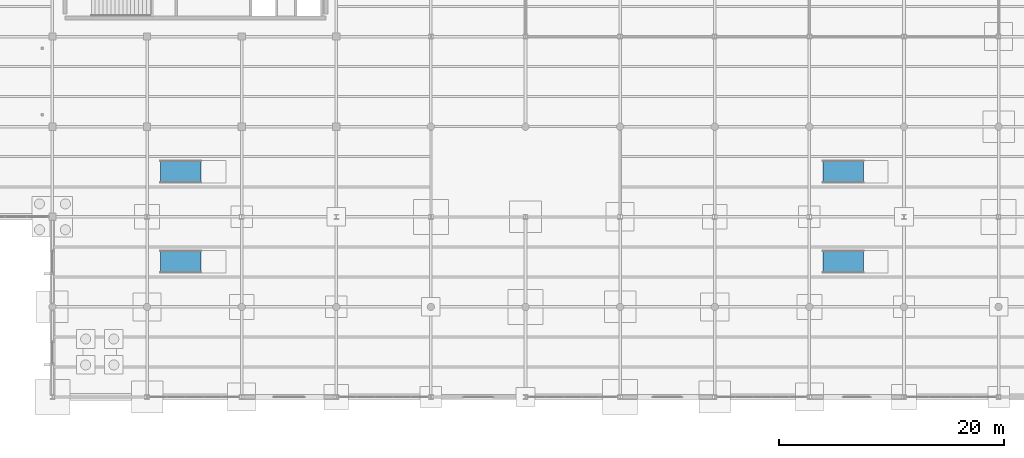
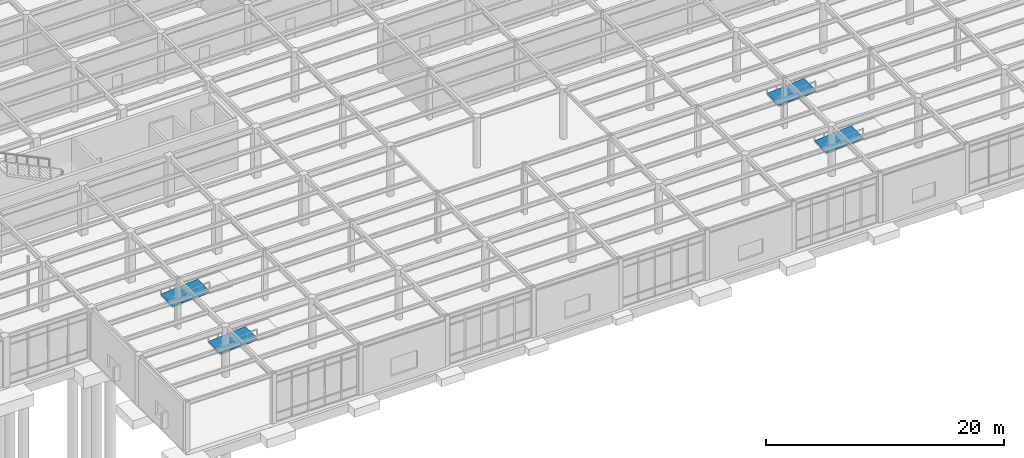
# One storey, part 88 of 138: 4 ramp flights, 4 elements without a shape of their own.
"""IFC4 building model written with IfcOpenShell, lengths in metres."""

from ifc_helpers import new_model, si_unit, direction, frame, origin, place, context, subcontext, project, spatial, polyline, outline, extrude, material, layer, layer_set, type_object, element, aggregate, save


model = new_model("IFC4")

# Units and contexts
model_context = context("Model", 3, precision=1e-05, world=origin(), true_north=direction((0.0, 1.0)))
body_context = subcontext(model_context, "Body", "Model", "MODEL_VIEW")
ifc_project = project(units=[si_unit("LENGTHUNIT", "METRE"), si_unit("AREAUNIT", "SQUARE_METRE"), si_unit("VOLUMEUNIT", "CUBIC_METRE"), si_unit("PLANEANGLEUNIT", "RADIAN"), si_unit("MASSUNIT", "GRAM", prefix="KILO")], contexts=[model_context])

# Site, building, storey
site_placement = place(None, origin())
site = spatial("IfcSite", under=ifc_project, at=site_placement, CompositionType="ELEMENT")
building_placement = place(site_placement, origin())
building = spatial("IfcBuilding", under=site, at=building_placement, Name="Kranzveld Transit Interchange", CompositionType="ELEMENT")
storey_placement = place(building_placement, origin())
storey = spatial("IfcBuildingStorey", under=building, at=storey_placement, Name="L00", CompositionType="ELEMENT", Elevation=0.0)

# Ramp, ramp flight
ifc_material_1 = material(Name="Concrete C35/45", Category="concrete")
ramp_type = type_object("IfcRampType", Name="Boarding Island Plinth Ramp 1:12 2000W C35/45", PredefinedType="STRAIGHT_RUN_RAMP", material=ifc_material_1)
ramp_1_placement = place(storey_placement, origin())
ramp_1 = element("IfcRamp", 1, at=ramp_1_placement, inside=storey, type_object=ramp_type, Name="Boarding Island 1:12 Ramp RMP-3", PredefinedType="STRAIGHT_RUN_RAMP")
ifc_material_2 = material(Name="Concrete C35/45", Category="concrete")
ifc_layer = layer(ifc_material_2, 0.199951171875)
ifc_layer_set = layer_set([ifc_layer], Name="Concrete C35/45")
ramp_flight_type = type_object("IfcRampFlightType", Name="Boarding Ramp Flight 2000Wx200T C35/45", PredefinedType="STRAIGHT", material=ifc_layer_set)
ramp_flight_1_placement = place(storey_placement, frame((60.0, 12.0, 0.0), z_axis=(0.0, 0.0, 1.0), x_axis=(1.0, 0.0, 0.0)))
ramp_flight_1 = element("IfcRampFlight", 2, at=ramp_flight_1_placement, type_object=ramp_flight_type, Name="RMP-3 Flight 1", PredefinedType="STRAIGHT", context=body_context, shape_type="SweptSolid", body=[
    extrude(outline(polyline([(0.0, -0.199951171875), (0.0, 0.0), (3.60009765625, 0.300048828125), (3.60009765625, 0.10009765625), (0.0, -0.199951171875)])), frame((0.0, 1.0, 0.0), z_axis=(0.0, -1.0, 0.0), x_axis=(1.0, 0.0, 0.0)), (0.0, 0.0, 1.0), 2.0),
])
aggregate(ramp_1, [ramp_flight_1])

ramp_2_placement = place(storey_placement, origin())
ramp_2 = element("IfcRamp", 3, at=ramp_2_placement, inside=storey, type_object=ramp_type, Name="Boarding Island 1:12 Ramp RMP-4", PredefinedType="STRAIGHT_RUN_RAMP")
ramp_flight_2_placement = place(storey_placement, frame((60.0, 20.0, 0.0), z_axis=(0.0, 0.0, 1.0), x_axis=(1.0, 0.0, 0.0)))
ramp_flight_2 = element("IfcRampFlight", 4, at=ramp_flight_2_placement, type_object=ramp_flight_type, Name="RMP-4 Flight 1", PredefinedType="STRAIGHT", context=body_context, shape_type="SweptSolid", body=[
    extrude(outline(polyline([(0.0, -0.199951171875), (0.0, 0.0), (3.60009765625, 0.300048828125), (3.60009765625, 0.10009765625), (0.0, -0.199951171875)])), frame((0.0, 1.0, 0.0), z_axis=(0.0, -1.0, 0.0), x_axis=(1.0, 0.0, 0.0)), (0.0, 0.0, 1.0), 2.0),
])
aggregate(ramp_2, [ramp_flight_2])

ramp_3_placement = place(storey_placement, origin())
ramp_3 = element("IfcRamp", 5, at=ramp_3_placement, inside=storey, type_object=ramp_type, Name="Boarding Island 1:12 Ramp RMP-5", PredefinedType="STRAIGHT_RUN_RAMP")
ramp_flight_3_placement = place(storey_placement, frame((118.800048828125, 12.0, 0.0), z_axis=(0.0, 0.0, 1.0), x_axis=(1.0, 0.0, 0.0)))
ramp_flight_3 = element("IfcRampFlight", 6, at=ramp_flight_3_placement, type_object=ramp_flight_type, Name="RMP-5 Flight 1", PredefinedType="STRAIGHT", context=body_context, shape_type="SweptSolid", body=[
    extrude(outline(polyline([(0.0, -0.199951171875), (0.0, 0.0), (3.60009765625, 0.300048828125), (3.60009765625, 0.10009765625), (0.0, -0.199951171875)])), frame((0.0, 1.0, 0.0), z_axis=(0.0, -1.0, 0.0), x_axis=(1.0, 0.0, 0.0)), (0.0, 0.0, 1.0), 2.0),
])
aggregate(ramp_3, [ramp_flight_3])

ramp_4_placement = place(storey_placement, origin())
ramp_4 = element("IfcRamp", 7, at=ramp_4_placement, inside=storey, type_object=ramp_type, Name="Boarding Island 1:12 Ramp RMP-6", PredefinedType="STRAIGHT_RUN_RAMP")
ramp_flight_4_placement = place(storey_placement, frame((118.800048828125, 20.0, 0.0), z_axis=(0.0, 0.0, 1.0), x_axis=(1.0, 0.0, 0.0)))
ramp_flight_4 = element("IfcRampFlight", 8, at=ramp_flight_4_placement, type_object=ramp_flight_type, Name="RMP-6 Flight 1", PredefinedType="STRAIGHT", context=body_context, shape_type="SweptSolid", body=[
    extrude(outline(polyline([(0.0, -0.199951171875), (0.0, 0.0), (3.60009765625, 0.300048828125), (3.60009765625, 0.10009765625), (0.0, -0.199951171875)])), frame((0.0, 1.0, 0.0), z_axis=(0.0, -1.0, 0.0), x_axis=(1.0, 0.0, 0.0)), (0.0, 0.0, 1.0), 2.0),
])
aggregate(ramp_4, [ramp_flight_4])

save(model, "model.ifc")
